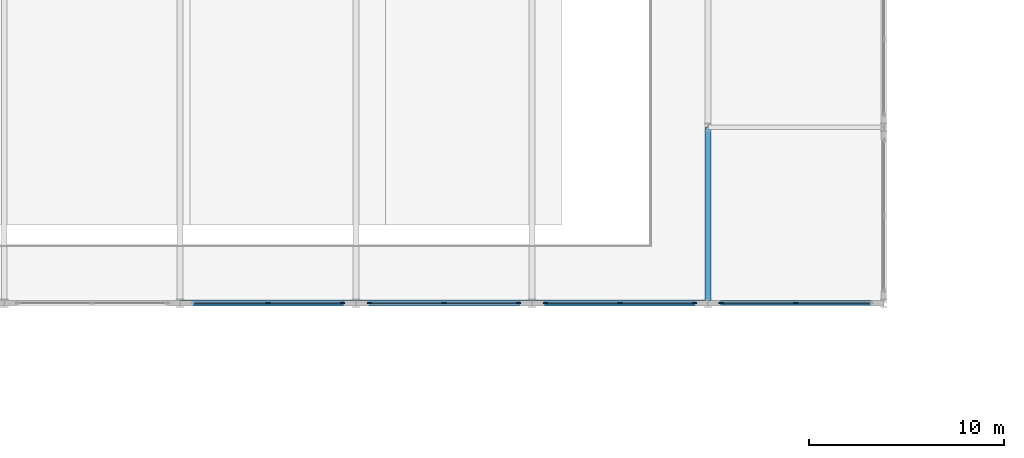
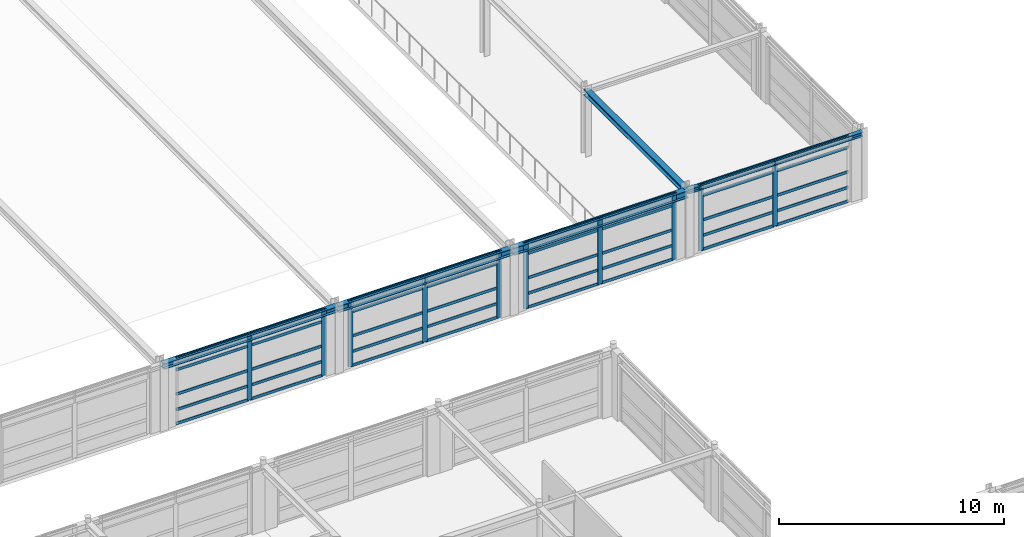
# One storey, part 47 of 79: 50 members, 5 beams, 4 elements without a shape of their own.
"""IFC4 building model written with IfcOpenShell, lengths in metres."""

from ifc_helpers import new_model, si_unit, direction, frame, origin, origin_2d, place, context, subcontext, project, spatial, rectangle, i_section, extrude, material, material_profile, profile_set, type_object, element, aggregate, save


model = new_model("IFC4")

# Units and contexts
model_context = context("Model", 3, precision=1e-05, world=origin(), true_north=direction((0.0, 1.0)))
body_context = subcontext(model_context, "Body", "Model", "MODEL_VIEW")
ifc_project = project(units=[si_unit("LENGTHUNIT", "METRE"), si_unit("AREAUNIT", "SQUARE_METRE"), si_unit("VOLUMEUNIT", "CUBIC_METRE"), si_unit("PLANEANGLEUNIT", "RADIAN"), si_unit("MASSUNIT", "GRAM", prefix="KILO")], contexts=[model_context])

# Site, building, storey
site_placement = place(None, origin())
site = spatial("IfcSite", under=ifc_project, at=site_placement, CompositionType="ELEMENT")
building_placement = place(site_placement, origin())
building = spatial("IfcBuilding", under=site, at=building_placement, Name="Palais des Congres Ocreval", CompositionType="ELEMENT")
storey_placement = place(building_placement, frame((0.0, 0.0, 4.320068359375)))
storey = spatial("IfcBuildingStorey", under=building, at=storey_placement, Name="L01", CompositionType="ELEMENT", Elevation=4.320068359375)

# Curtain wall, members
ifc_material_1 = material(Name="Anodized bronze aluminium and low-E glass", Category="glass")
curtain_wall_type = type_object("IfcCurtainWallType", Name="Unitised Curtain Wall 7900x3660", PredefinedType="USERDEFINED", material=ifc_material_1)
curtain_wall_1_placement = place(storey_placement, origin())
curtain_wall_1 = element("IfcCurtainWall", 1, at=curtain_wall_1_placement, inside=storey, type_object=curtain_wall_type, Name="Unitised Curtain Wall CW02 L01", ObjectType="UNITISED CURTAIN WALL", PredefinedType="USERDEFINED")
ifc_material_2 = material(Name="Anodized bronze aluminium", Category="aluminium")
ifc_material_profile_1 = material_profile(ifc_material_2, rectangle(XDim=0.074951171875, YDim=0.239990234375, at=origin_2d()), Name="ALU 75x240")
ifc_profile_set_1 = profile_set([ifc_material_profile_1], Name="Anodized bronze aluminium")
member_type_1 = type_object("IfcMemberType", Name="Curtain Wall Mullion ALU 75x240", PredefinedType="MULLION", material=ifc_profile_set_1)
member_1_placement = place(storey_placement, frame((157.5, 72.0, 0.0), z_axis=(0.0, 0.0, 1.0), x_axis=(0.0, -1.0, 0.0)))
member_1 = element("IfcMember", 2, at=member_1_placement, type_object=member_type_1, Name="Curtain Wall Mullion ML01", PredefinedType="MULLION", context=body_context, shape_type="SweptSolid", body=[
    extrude(rectangle(XDim=0.074951171875, YDim=0.239990234375, at=origin_2d()), origin(), (0.0, 0.0, 1.0), 3.599853515625),
])
member_2_placement = place(storey_placement, frame((153.6875, 72.0, 0.0), z_axis=(0.0, 0.0, 1.0), x_axis=(0.0, -1.0, 0.0)))
member_2 = element("IfcMember", 3, at=member_2_placement, type_object=member_type_1, Name="Curtain Wall Mullion ML01", PredefinedType="MULLION", context=body_context, shape_type="SweptSolid", body=[
    extrude(rectangle(XDim=0.074951171875, YDim=0.239990234375, at=origin_2d()), origin(), (0.0, 0.0, 1.0), 3.599853515625),
])

curtain_wall_2_placement = place(storey_placement, origin())
curtain_wall_2 = element("IfcCurtainWall", 4, at=curtain_wall_2_placement, inside=storey, type_object=curtain_wall_type, Name="Unitised Curtain Wall CW02 L01", ObjectType="UNITISED CURTAIN WALL", PredefinedType="USERDEFINED")
member_3_placement = place(storey_placement, frame((152.3125, 72.0, 0.0), z_axis=(0.0, 0.0, 1.0), x_axis=(0.0, -1.0, 0.0)))
member_3 = element("IfcMember", 5, at=member_3_placement, type_object=member_type_1, Name="Curtain Wall Mullion ML01", PredefinedType="MULLION", context=body_context, shape_type="SweptSolid", body=[
    extrude(rectangle(XDim=0.074951171875, YDim=0.239990234375, at=origin_2d()), origin(), (0.0, 0.0, 1.0), 3.599853515625),
])
member_4_placement = place(storey_placement, frame((148.5, 72.0, 0.0), z_axis=(0.0, 0.0, 1.0), x_axis=(0.0, -1.0, 0.0)))
member_4 = element("IfcMember", 6, at=member_4_placement, type_object=member_type_1, Name="Curtain Wall Mullion ML01", PredefinedType="MULLION", context=body_context, shape_type="SweptSolid", body=[
    extrude(rectangle(XDim=0.074951171875, YDim=0.239990234375, at=origin_2d()), origin(), (0.0, 0.0, 1.0), 3.599853515625),
])
member_5_placement = place(storey_placement, frame((144.6875, 72.0, 0.0), z_axis=(0.0, 0.0, 1.0), x_axis=(0.0, -1.0, 0.0)))
member_5 = element("IfcMember", 7, at=member_5_placement, type_object=member_type_1, Name="Curtain Wall Mullion ML01", PredefinedType="MULLION", context=body_context, shape_type="SweptSolid", body=[
    extrude(rectangle(XDim=0.074951171875, YDim=0.239990234375, at=origin_2d()), origin(), (0.0, 0.0, 1.0), 3.599853515625),
])

curtain_wall_3_placement = place(storey_placement, origin())
curtain_wall_3 = element("IfcCurtainWall", 8, at=curtain_wall_3_placement, inside=storey, type_object=curtain_wall_type, Name="Unitised Curtain Wall CW02 L01", ObjectType="UNITISED CURTAIN WALL", PredefinedType="USERDEFINED")
member_6_placement = place(storey_placement, frame((143.3125, 72.0, 0.0), z_axis=(0.0, 0.0, 1.0), x_axis=(0.0, -1.0, 0.0)))
member_6 = element("IfcMember", 9, at=member_6_placement, type_object=member_type_1, Name="Curtain Wall Mullion ML01", PredefinedType="MULLION", context=body_context, shape_type="SweptSolid", body=[
    extrude(rectangle(XDim=0.074951171875, YDim=0.239990234375, at=origin_2d()), origin(), (0.0, 0.0, 1.0), 3.599853515625),
])
member_7_placement = place(storey_placement, frame((139.5, 72.0, 0.0), z_axis=(0.0, 0.0, 1.0), x_axis=(0.0, -1.0, 0.0)))
member_7 = element("IfcMember", 10, at=member_7_placement, type_object=member_type_1, Name="Curtain Wall Mullion ML01", PredefinedType="MULLION", context=body_context, shape_type="SweptSolid", body=[
    extrude(rectangle(XDim=0.074951171875, YDim=0.239990234375, at=origin_2d()), origin(), (0.0, 0.0, 1.0), 3.599853515625),
])
member_8_placement = place(storey_placement, frame((135.6875, 72.0, 0.0), z_axis=(0.0, 0.0, 1.0), x_axis=(0.0, -1.0, 0.0)))
member_8 = element("IfcMember", 11, at=member_8_placement, type_object=member_type_1, Name="Curtain Wall Mullion ML01", PredefinedType="MULLION", context=body_context, shape_type="SweptSolid", body=[
    extrude(rectangle(XDim=0.074951171875, YDim=0.239990234375, at=origin_2d()), origin(), (0.0, 0.0, 1.0), 3.599853515625),
])

curtain_wall_4_placement = place(storey_placement, origin())
curtain_wall_4 = element("IfcCurtainWall", 12, at=curtain_wall_4_placement, inside=storey, type_object=curtain_wall_type, Name="Unitised Curtain Wall CW02 L01", ObjectType="UNITISED CURTAIN WALL", PredefinedType="USERDEFINED")
member_9_placement = place(storey_placement, frame((134.3125, 72.0, 0.0), z_axis=(0.0, 0.0, 1.0), x_axis=(0.0, -1.0, 0.0)))
member_9 = element("IfcMember", 13, at=member_9_placement, type_object=member_type_1, Name="Curtain Wall Mullion ML01", PredefinedType="MULLION", context=body_context, shape_type="SweptSolid", body=[
    extrude(rectangle(XDim=0.074951171875, YDim=0.239990234375, at=origin_2d()), origin(), (0.0, 0.0, 1.0), 3.599853515625),
])
member_10_placement = place(storey_placement, frame((130.5, 72.0, 0.0), z_axis=(0.0, 0.0, 1.0), x_axis=(0.0, -1.0, 0.0)))
member_10 = element("IfcMember", 14, at=member_10_placement, type_object=member_type_1, Name="Curtain Wall Mullion ML01", PredefinedType="MULLION", context=body_context, shape_type="SweptSolid", body=[
    extrude(rectangle(XDim=0.074951171875, YDim=0.239990234375, at=origin_2d()), origin(), (0.0, 0.0, 1.0), 3.599853515625),
])

# Member
ifc_material_profile_2 = material_profile(ifc_material_2, rectangle(XDim=0.06005859375, YDim=0.14990234375, at=origin_2d()), Name="ALU 60x150")
ifc_profile_set_2 = profile_set([ifc_material_profile_2], Name="Anodized bronze aluminium")
member_type_2 = type_object("IfcMemberType", Name="Curtain Wall Transom ALU 60x150", PredefinedType="USERDEFINED", material=ifc_profile_set_2)
member_11_placement = place(storey_placement, frame((161.27490234375, 72.0, 0.030029296875), z_axis=(-1.0, 0.0, 0.0), x_axis=(0.0, -1.0, 0.0)))
member_11 = element("IfcMember", 15, at=member_11_placement, type_object=member_type_2, Name="Curtain Wall Transom TR01", ObjectType="TRANSOM", PredefinedType="USERDEFINED", context=body_context, shape_type="SweptSolid", body=[
    extrude(rectangle(XDim=0.06005859375, YDim=0.14990234375, at=origin_2d()), origin(), (0.0, 0.0, 1.0), 3.7373046875),
])

member_12_placement = place(storey_placement, frame((161.27490234375, 72.0, 0.780029296875), z_axis=(-1.0, 0.0, 0.0), x_axis=(0.0, -1.0, 0.0)))
member_12 = element("IfcMember", 16, at=member_12_placement, type_object=member_type_2, Name="Curtain Wall Transom TR01", ObjectType="TRANSOM", PredefinedType="USERDEFINED", context=body_context, shape_type="SweptSolid", body=[
    extrude(rectangle(XDim=0.06005859375, YDim=0.14990234375, at=origin_2d()), origin(), (0.0, 0.0, 1.0), 3.7373046875),
])

member_13_placement = place(storey_placement, frame((161.27490234375, 72.0, 1.622314453125), z_axis=(-1.0, 0.0, 0.0), x_axis=(0.0, -1.0, 0.0)))
member_13 = element("IfcMember", 17, at=member_13_placement, type_object=member_type_2, Name="Curtain Wall Transom TR01", ObjectType="TRANSOM", PredefinedType="USERDEFINED", context=body_context, shape_type="SweptSolid", body=[
    extrude(rectangle(XDim=0.06005859375, YDim=0.14990234375, at=origin_2d()), origin(), (0.0, 0.0, 1.0), 3.7373046875),
])

member_14_placement = place(storey_placement, frame((161.27490234375, 72.0, 2.949951171875), z_axis=(-1.0, 0.0, 0.0), x_axis=(0.0, -1.0, 0.0)))
member_14 = element("IfcMember", 18, at=member_14_placement, type_object=member_type_2, Name="Curtain Wall Transom TR01", ObjectType="TRANSOM", PredefinedType="USERDEFINED", context=body_context, shape_type="SweptSolid", body=[
    extrude(rectangle(XDim=0.06005859375, YDim=0.14990234375, at=origin_2d()), origin(), (0.0, 0.0, 1.0), 3.7373046875),
])

member_15_placement = place(storey_placement, frame((161.27490234375, 72.0, 3.56982421875), z_axis=(-1.0, 0.0, 0.0), x_axis=(0.0, -1.0, 0.0)))
member_15 = element("IfcMember", 19, at=member_15_placement, type_object=member_type_2, Name="Curtain Wall Transom TR01", ObjectType="TRANSOM", PredefinedType="USERDEFINED", context=body_context, shape_type="SweptSolid", body=[
    extrude(rectangle(XDim=0.06005859375, YDim=0.14990234375, at=origin_2d()), origin(), (0.0, 0.0, 1.0), 3.7373046875),
])

member_16_placement = place(storey_placement, frame((157.46240234375, 72.0, 0.030029296875), z_axis=(-1.0, 0.0, 0.0), x_axis=(0.0, -1.0, 0.0)))
member_16 = element("IfcMember", 20, at=member_16_placement, type_object=member_type_2, Name="Curtain Wall Transom TR01", ObjectType="TRANSOM", PredefinedType="USERDEFINED", context=body_context, shape_type="SweptSolid", body=[
    extrude(rectangle(XDim=0.06005859375, YDim=0.14990234375, at=origin_2d()), origin(), (0.0, 0.0, 1.0), 3.7373046875),
])

member_17_placement = place(storey_placement, frame((157.46240234375, 72.0, 0.780029296875), z_axis=(-1.0, 0.0, 0.0), x_axis=(0.0, -1.0, 0.0)))
member_17 = element("IfcMember", 21, at=member_17_placement, type_object=member_type_2, Name="Curtain Wall Transom TR01", ObjectType="TRANSOM", PredefinedType="USERDEFINED", context=body_context, shape_type="SweptSolid", body=[
    extrude(rectangle(XDim=0.06005859375, YDim=0.14990234375, at=origin_2d()), origin(), (0.0, 0.0, 1.0), 3.7373046875),
])

member_18_placement = place(storey_placement, frame((157.46240234375, 72.0, 1.622314453125), z_axis=(-1.0, 0.0, 0.0), x_axis=(0.0, -1.0, 0.0)))
member_18 = element("IfcMember", 22, at=member_18_placement, type_object=member_type_2, Name="Curtain Wall Transom TR01", ObjectType="TRANSOM", PredefinedType="USERDEFINED", context=body_context, shape_type="SweptSolid", body=[
    extrude(rectangle(XDim=0.06005859375, YDim=0.14990234375, at=origin_2d()), origin(), (0.0, 0.0, 1.0), 3.7373046875),
])

member_19_placement = place(storey_placement, frame((157.46240234375, 72.0, 2.949951171875), z_axis=(-1.0, 0.0, 0.0), x_axis=(0.0, -1.0, 0.0)))
member_19 = element("IfcMember", 23, at=member_19_placement, type_object=member_type_2, Name="Curtain Wall Transom TR01", ObjectType="TRANSOM", PredefinedType="USERDEFINED", context=body_context, shape_type="SweptSolid", body=[
    extrude(rectangle(XDim=0.06005859375, YDim=0.14990234375, at=origin_2d()), origin(), (0.0, 0.0, 1.0), 3.7373046875),
])

member_20_placement = place(storey_placement, frame((157.46240234375, 72.0, 3.56982421875), z_axis=(-1.0, 0.0, 0.0), x_axis=(0.0, -1.0, 0.0)))
member_20 = element("IfcMember", 24, at=member_20_placement, type_object=member_type_2, Name="Curtain Wall Transom TR01", ObjectType="TRANSOM", PredefinedType="USERDEFINED", context=body_context, shape_type="SweptSolid", body=[
    extrude(rectangle(XDim=0.06005859375, YDim=0.14990234375, at=origin_2d()), origin(), (0.0, 0.0, 1.0), 3.7373046875),
])

aggregate(curtain_wall_1, [member_1, member_2, member_11, member_12, member_13, member_14, member_15, member_16, member_17, member_18, member_19, member_20])

member_21_placement = place(storey_placement, frame((152.27490234375, 72.0, 0.030029296875), z_axis=(-1.0, 0.0, 0.0), x_axis=(0.0, -1.0, 0.0)))
member_21 = element("IfcMember", 25, at=member_21_placement, type_object=member_type_2, Name="Curtain Wall Transom TR01", ObjectType="TRANSOM", PredefinedType="USERDEFINED", context=body_context, shape_type="SweptSolid", body=[
    extrude(rectangle(XDim=0.06005859375, YDim=0.14990234375, at=origin_2d()), origin(), (0.0, 0.0, 1.0), 3.7373046875),
])

member_22_placement = place(storey_placement, frame((152.27490234375, 72.0, 0.780029296875), z_axis=(-1.0, 0.0, 0.0), x_axis=(0.0, -1.0, 0.0)))
member_22 = element("IfcMember", 26, at=member_22_placement, type_object=member_type_2, Name="Curtain Wall Transom TR01", ObjectType="TRANSOM", PredefinedType="USERDEFINED", context=body_context, shape_type="SweptSolid", body=[
    extrude(rectangle(XDim=0.06005859375, YDim=0.14990234375, at=origin_2d()), origin(), (0.0, 0.0, 1.0), 3.7373046875),
])

member_23_placement = place(storey_placement, frame((152.27490234375, 72.0, 1.622314453125), z_axis=(-1.0, 0.0, 0.0), x_axis=(0.0, -1.0, 0.0)))
member_23 = element("IfcMember", 27, at=member_23_placement, type_object=member_type_2, Name="Curtain Wall Transom TR01", ObjectType="TRANSOM", PredefinedType="USERDEFINED", context=body_context, shape_type="SweptSolid", body=[
    extrude(rectangle(XDim=0.06005859375, YDim=0.14990234375, at=origin_2d()), origin(), (0.0, 0.0, 1.0), 3.7373046875),
])

member_24_placement = place(storey_placement, frame((152.27490234375, 72.0, 2.949951171875), z_axis=(-1.0, 0.0, 0.0), x_axis=(0.0, -1.0, 0.0)))
member_24 = element("IfcMember", 28, at=member_24_placement, type_object=member_type_2, Name="Curtain Wall Transom TR01", ObjectType="TRANSOM", PredefinedType="USERDEFINED", context=body_context, shape_type="SweptSolid", body=[
    extrude(rectangle(XDim=0.06005859375, YDim=0.14990234375, at=origin_2d()), origin(), (0.0, 0.0, 1.0), 3.7373046875),
])

member_25_placement = place(storey_placement, frame((152.27490234375, 72.0, 3.56982421875), z_axis=(-1.0, 0.0, 0.0), x_axis=(0.0, -1.0, 0.0)))
member_25 = element("IfcMember", 29, at=member_25_placement, type_object=member_type_2, Name="Curtain Wall Transom TR01", ObjectType="TRANSOM", PredefinedType="USERDEFINED", context=body_context, shape_type="SweptSolid", body=[
    extrude(rectangle(XDim=0.06005859375, YDim=0.14990234375, at=origin_2d()), origin(), (0.0, 0.0, 1.0), 3.7373046875),
])

member_26_placement = place(storey_placement, frame((148.46240234375, 72.0, 0.030029296875), z_axis=(-1.0, 0.0, 0.0), x_axis=(0.0, -1.0, 0.0)))
member_26 = element("IfcMember", 30, at=member_26_placement, type_object=member_type_2, Name="Curtain Wall Transom TR01", ObjectType="TRANSOM", PredefinedType="USERDEFINED", context=body_context, shape_type="SweptSolid", body=[
    extrude(rectangle(XDim=0.06005859375, YDim=0.14990234375, at=origin_2d()), origin(), (0.0, 0.0, 1.0), 3.7373046875),
])

member_27_placement = place(storey_placement, frame((148.46240234375, 72.0, 0.780029296875), z_axis=(-1.0, 0.0, 0.0), x_axis=(0.0, -1.0, 0.0)))
member_27 = element("IfcMember", 31, at=member_27_placement, type_object=member_type_2, Name="Curtain Wall Transom TR01", ObjectType="TRANSOM", PredefinedType="USERDEFINED", context=body_context, shape_type="SweptSolid", body=[
    extrude(rectangle(XDim=0.06005859375, YDim=0.14990234375, at=origin_2d()), origin(), (0.0, 0.0, 1.0), 3.7373046875),
])

member_28_placement = place(storey_placement, frame((148.46240234375, 72.0, 1.622314453125), z_axis=(-1.0, 0.0, 0.0), x_axis=(0.0, -1.0, 0.0)))
member_28 = element("IfcMember", 32, at=member_28_placement, type_object=member_type_2, Name="Curtain Wall Transom TR01", ObjectType="TRANSOM", PredefinedType="USERDEFINED", context=body_context, shape_type="SweptSolid", body=[
    extrude(rectangle(XDim=0.06005859375, YDim=0.14990234375, at=origin_2d()), origin(), (0.0, 0.0, 1.0), 3.7373046875),
])

member_29_placement = place(storey_placement, frame((148.46240234375, 72.0, 2.949951171875), z_axis=(-1.0, 0.0, 0.0), x_axis=(0.0, -1.0, 0.0)))
member_29 = element("IfcMember", 33, at=member_29_placement, type_object=member_type_2, Name="Curtain Wall Transom TR01", ObjectType="TRANSOM", PredefinedType="USERDEFINED", context=body_context, shape_type="SweptSolid", body=[
    extrude(rectangle(XDim=0.06005859375, YDim=0.14990234375, at=origin_2d()), origin(), (0.0, 0.0, 1.0), 3.7373046875),
])

member_30_placement = place(storey_placement, frame((148.46240234375, 72.0, 3.56982421875), z_axis=(-1.0, 0.0, 0.0), x_axis=(0.0, -1.0, 0.0)))
member_30 = element("IfcMember", 34, at=member_30_placement, type_object=member_type_2, Name="Curtain Wall Transom TR01", ObjectType="TRANSOM", PredefinedType="USERDEFINED", context=body_context, shape_type="SweptSolid", body=[
    extrude(rectangle(XDim=0.06005859375, YDim=0.14990234375, at=origin_2d()), origin(), (0.0, 0.0, 1.0), 3.7373046875),
])

aggregate(curtain_wall_2, [member_3, member_4, member_5, member_21, member_22, member_23, member_24, member_25, member_26, member_27, member_28, member_29, member_30])

member_31_placement = place(storey_placement, frame((143.27490234375, 72.0, 0.030029296875), z_axis=(-1.0, 0.0, 0.0), x_axis=(0.0, -1.0, 0.0)))
member_31 = element("IfcMember", 35, at=member_31_placement, type_object=member_type_2, Name="Curtain Wall Transom TR01", ObjectType="TRANSOM", PredefinedType="USERDEFINED", context=body_context, shape_type="SweptSolid", body=[
    extrude(rectangle(XDim=0.06005859375, YDim=0.14990234375, at=origin_2d()), origin(), (0.0, 0.0, 1.0), 3.7373046875),
])

member_32_placement = place(storey_placement, frame((143.27490234375, 72.0, 0.780029296875), z_axis=(-1.0, 0.0, 0.0), x_axis=(0.0, -1.0, 0.0)))
member_32 = element("IfcMember", 36, at=member_32_placement, type_object=member_type_2, Name="Curtain Wall Transom TR01", ObjectType="TRANSOM", PredefinedType="USERDEFINED", context=body_context, shape_type="SweptSolid", body=[
    extrude(rectangle(XDim=0.06005859375, YDim=0.14990234375, at=origin_2d()), origin(), (0.0, 0.0, 1.0), 3.7373046875),
])

member_33_placement = place(storey_placement, frame((143.27490234375, 72.0, 1.622314453125), z_axis=(-1.0, 0.0, 0.0), x_axis=(0.0, -1.0, 0.0)))
member_33 = element("IfcMember", 37, at=member_33_placement, type_object=member_type_2, Name="Curtain Wall Transom TR01", ObjectType="TRANSOM", PredefinedType="USERDEFINED", context=body_context, shape_type="SweptSolid", body=[
    extrude(rectangle(XDim=0.06005859375, YDim=0.14990234375, at=origin_2d()), origin(), (0.0, 0.0, 1.0), 3.7373046875),
])

member_34_placement = place(storey_placement, frame((143.27490234375, 72.0, 2.949951171875), z_axis=(-1.0, 0.0, 0.0), x_axis=(0.0, -1.0, 0.0)))
member_34 = element("IfcMember", 38, at=member_34_placement, type_object=member_type_2, Name="Curtain Wall Transom TR01", ObjectType="TRANSOM", PredefinedType="USERDEFINED", context=body_context, shape_type="SweptSolid", body=[
    extrude(rectangle(XDim=0.06005859375, YDim=0.14990234375, at=origin_2d()), origin(), (0.0, 0.0, 1.0), 3.7373046875),
])

member_35_placement = place(storey_placement, frame((143.27490234375, 72.0, 3.56982421875), z_axis=(-1.0, 0.0, 0.0), x_axis=(0.0, -1.0, 0.0)))
member_35 = element("IfcMember", 39, at=member_35_placement, type_object=member_type_2, Name="Curtain Wall Transom TR01", ObjectType="TRANSOM", PredefinedType="USERDEFINED", context=body_context, shape_type="SweptSolid", body=[
    extrude(rectangle(XDim=0.06005859375, YDim=0.14990234375, at=origin_2d()), origin(), (0.0, 0.0, 1.0), 3.7373046875),
])

member_36_placement = place(storey_placement, frame((139.46240234375, 72.0, 0.030029296875), z_axis=(-1.0, 0.0, 0.0), x_axis=(0.0, -1.0, 0.0)))
member_36 = element("IfcMember", 40, at=member_36_placement, type_object=member_type_2, Name="Curtain Wall Transom TR01", ObjectType="TRANSOM", PredefinedType="USERDEFINED", context=body_context, shape_type="SweptSolid", body=[
    extrude(rectangle(XDim=0.06005859375, YDim=0.14990234375, at=origin_2d()), origin(), (0.0, 0.0, 1.0), 3.7373046875),
])

member_37_placement = place(storey_placement, frame((139.46240234375, 72.0, 0.780029296875), z_axis=(-1.0, 0.0, 0.0), x_axis=(0.0, -1.0, 0.0)))
member_37 = element("IfcMember", 41, at=member_37_placement, type_object=member_type_2, Name="Curtain Wall Transom TR01", ObjectType="TRANSOM", PredefinedType="USERDEFINED", context=body_context, shape_type="SweptSolid", body=[
    extrude(rectangle(XDim=0.06005859375, YDim=0.14990234375, at=origin_2d()), origin(), (0.0, 0.0, 1.0), 3.7373046875),
])

member_38_placement = place(storey_placement, frame((139.46240234375, 72.0, 1.622314453125), z_axis=(-1.0, 0.0, 0.0), x_axis=(0.0, -1.0, 0.0)))
member_38 = element("IfcMember", 42, at=member_38_placement, type_object=member_type_2, Name="Curtain Wall Transom TR01", ObjectType="TRANSOM", PredefinedType="USERDEFINED", context=body_context, shape_type="SweptSolid", body=[
    extrude(rectangle(XDim=0.06005859375, YDim=0.14990234375, at=origin_2d()), origin(), (0.0, 0.0, 1.0), 3.7373046875),
])

member_39_placement = place(storey_placement, frame((139.46240234375, 72.0, 2.949951171875), z_axis=(-1.0, 0.0, 0.0), x_axis=(0.0, -1.0, 0.0)))
member_39 = element("IfcMember", 43, at=member_39_placement, type_object=member_type_2, Name="Curtain Wall Transom TR01", ObjectType="TRANSOM", PredefinedType="USERDEFINED", context=body_context, shape_type="SweptSolid", body=[
    extrude(rectangle(XDim=0.06005859375, YDim=0.14990234375, at=origin_2d()), origin(), (0.0, 0.0, 1.0), 3.7373046875),
])

member_40_placement = place(storey_placement, frame((139.46240234375, 72.0, 3.56982421875), z_axis=(-1.0, 0.0, 0.0), x_axis=(0.0, -1.0, 0.0)))
member_40 = element("IfcMember", 44, at=member_40_placement, type_object=member_type_2, Name="Curtain Wall Transom TR01", ObjectType="TRANSOM", PredefinedType="USERDEFINED", context=body_context, shape_type="SweptSolid", body=[
    extrude(rectangle(XDim=0.06005859375, YDim=0.14990234375, at=origin_2d()), origin(), (0.0, 0.0, 1.0), 3.7373046875),
])

aggregate(curtain_wall_3, [member_6, member_7, member_8, member_31, member_32, member_33, member_34, member_35, member_36, member_37, member_38, member_39, member_40])

member_41_placement = place(storey_placement, frame((134.27490234375, 72.0, 0.030029296875), z_axis=(-1.0, 0.0, 0.0), x_axis=(0.0, -1.0, 0.0)))
member_41 = element("IfcMember", 45, at=member_41_placement, type_object=member_type_2, Name="Curtain Wall Transom TR01", ObjectType="TRANSOM", PredefinedType="USERDEFINED", context=body_context, shape_type="SweptSolid", body=[
    extrude(rectangle(XDim=0.06005859375, YDim=0.14990234375, at=origin_2d()), origin(), (0.0, 0.0, 1.0), 3.7373046875),
])

member_42_placement = place(storey_placement, frame((134.27490234375, 72.0, 0.780029296875), z_axis=(-1.0, 0.0, 0.0), x_axis=(0.0, -1.0, 0.0)))
member_42 = element("IfcMember", 46, at=member_42_placement, type_object=member_type_2, Name="Curtain Wall Transom TR01", ObjectType="TRANSOM", PredefinedType="USERDEFINED", context=body_context, shape_type="SweptSolid", body=[
    extrude(rectangle(XDim=0.06005859375, YDim=0.14990234375, at=origin_2d()), origin(), (0.0, 0.0, 1.0), 3.7373046875),
])

member_43_placement = place(storey_placement, frame((134.27490234375, 72.0, 1.622314453125), z_axis=(-1.0, 0.0, 0.0), x_axis=(0.0, -1.0, 0.0)))
member_43 = element("IfcMember", 47, at=member_43_placement, type_object=member_type_2, Name="Curtain Wall Transom TR01", ObjectType="TRANSOM", PredefinedType="USERDEFINED", context=body_context, shape_type="SweptSolid", body=[
    extrude(rectangle(XDim=0.06005859375, YDim=0.14990234375, at=origin_2d()), origin(), (0.0, 0.0, 1.0), 3.7373046875),
])

member_44_placement = place(storey_placement, frame((134.27490234375, 72.0, 2.949951171875), z_axis=(-1.0, 0.0, 0.0), x_axis=(0.0, -1.0, 0.0)))
member_44 = element("IfcMember", 48, at=member_44_placement, type_object=member_type_2, Name="Curtain Wall Transom TR01", ObjectType="TRANSOM", PredefinedType="USERDEFINED", context=body_context, shape_type="SweptSolid", body=[
    extrude(rectangle(XDim=0.06005859375, YDim=0.14990234375, at=origin_2d()), origin(), (0.0, 0.0, 1.0), 3.7373046875),
])

member_45_placement = place(storey_placement, frame((134.27490234375, 72.0, 3.56982421875), z_axis=(-1.0, 0.0, 0.0), x_axis=(0.0, -1.0, 0.0)))
member_45 = element("IfcMember", 49, at=member_45_placement, type_object=member_type_2, Name="Curtain Wall Transom TR01", ObjectType="TRANSOM", PredefinedType="USERDEFINED", context=body_context, shape_type="SweptSolid", body=[
    extrude(rectangle(XDim=0.06005859375, YDim=0.14990234375, at=origin_2d()), origin(), (0.0, 0.0, 1.0), 3.7373046875),
])

member_46_placement = place(storey_placement, frame((130.46240234375, 72.0, 0.030029296875), z_axis=(-1.0, 0.0, 0.0), x_axis=(0.0, -1.0, 0.0)))
member_46 = element("IfcMember", 50, at=member_46_placement, type_object=member_type_2, Name="Curtain Wall Transom TR01", ObjectType="TRANSOM", PredefinedType="USERDEFINED", context=body_context, shape_type="SweptSolid", body=[
    extrude(rectangle(XDim=0.06005859375, YDim=0.14990234375, at=origin_2d()), origin(), (0.0, 0.0, 1.0), 3.7373046875),
])

member_47_placement = place(storey_placement, frame((130.46240234375, 72.0, 0.780029296875), z_axis=(-1.0, 0.0, 0.0), x_axis=(0.0, -1.0, 0.0)))
member_47 = element("IfcMember", 51, at=member_47_placement, type_object=member_type_2, Name="Curtain Wall Transom TR01", ObjectType="TRANSOM", PredefinedType="USERDEFINED", context=body_context, shape_type="SweptSolid", body=[
    extrude(rectangle(XDim=0.06005859375, YDim=0.14990234375, at=origin_2d()), origin(), (0.0, 0.0, 1.0), 3.7373046875),
])

member_48_placement = place(storey_placement, frame((130.46240234375, 72.0, 1.622314453125), z_axis=(-1.0, 0.0, 0.0), x_axis=(0.0, -1.0, 0.0)))
member_48 = element("IfcMember", 52, at=member_48_placement, type_object=member_type_2, Name="Curtain Wall Transom TR01", ObjectType="TRANSOM", PredefinedType="USERDEFINED", context=body_context, shape_type="SweptSolid", body=[
    extrude(rectangle(XDim=0.06005859375, YDim=0.14990234375, at=origin_2d()), origin(), (0.0, 0.0, 1.0), 3.7373046875),
])

member_49_placement = place(storey_placement, frame((130.46240234375, 72.0, 2.949951171875), z_axis=(-1.0, 0.0, 0.0), x_axis=(0.0, -1.0, 0.0)))
member_49 = element("IfcMember", 53, at=member_49_placement, type_object=member_type_2, Name="Curtain Wall Transom TR01", ObjectType="TRANSOM", PredefinedType="USERDEFINED", context=body_context, shape_type="SweptSolid", body=[
    extrude(rectangle(XDim=0.06005859375, YDim=0.14990234375, at=origin_2d()), origin(), (0.0, 0.0, 1.0), 3.7373046875),
])

member_50_placement = place(storey_placement, frame((130.46240234375, 72.0, 3.56982421875), z_axis=(-1.0, 0.0, 0.0), x_axis=(0.0, -1.0, 0.0)))
member_50 = element("IfcMember", 54, at=member_50_placement, type_object=member_type_2, Name="Curtain Wall Transom TR01", ObjectType="TRANSOM", PredefinedType="USERDEFINED", context=body_context, shape_type="SweptSolid", body=[
    extrude(rectangle(XDim=0.06005859375, YDim=0.14990234375, at=origin_2d()), origin(), (0.0, 0.0, 1.0), 3.7373046875),
])

aggregate(curtain_wall_4, [member_9, member_10, member_41, member_42, member_43, member_44, member_45, member_46, member_47, member_48, member_49, member_50])

# Beams
ifc_material_3 = material(Name="Steel S355", Category="steel")
ifc_material_profile_3 = material_profile(ifc_material_3, i_section(OverallWidth=0.239990234375, OverallDepth=0.22998046875, WebThickness=0.007568359375, FlangeThickness=0.011962890625, at=origin_2d()), Name="HEA 240")
ifc_profile_set_3 = profile_set([ifc_material_profile_3], Name="Steel S355")
beam_type_1 = type_object("IfcBeamType", Name="Perimeter Spandrel HEA 240 Steel S355", PredefinedType="SPANDREL", material=ifc_profile_set_3)
beam_1_placement = place(storey_placement, frame((153.02001953125, 72.0, 3.46484375), z_axis=(1.0, 0.0, 0.0), x_axis=(0.0, 1.0, 0.0)))
element("IfcBeam", 55, at=beam_1_placement, inside=storey, type_object=beam_type_1, Name="Beam SP01 L01", PredefinedType="SPANDREL", context=body_context, shape_type="SweptSolid", body=[
    extrude(i_section(OverallWidth=0.239990234375, OverallDepth=0.22998046875, WebThickness=0.007568359375, FlangeThickness=0.011962890625, at=origin_2d()), origin(), (0.0, 0.0, 1.0), 8.9599609375),
])
ifc_material_profile_4 = material_profile(ifc_material_3, i_section(OverallWidth=0.300048828125, OverallDepth=0.300048828125, WebThickness=0.010986328125, FlangeThickness=0.01904296875, at=origin_2d()), Name="HEB 300")
ifc_profile_set_4 = profile_set([ifc_material_profile_4], Name="Steel S355")
beam_type_2 = type_object("IfcBeamType", Name="Perimeter Spandrel HEB 300 Steel S355", PredefinedType="SPANDREL", material=ifc_profile_set_4)
beam_2_placement = place(storey_placement, frame((126.02001953125, 72.0, 3.429931640625), z_axis=(1.0, 0.0, 0.0), x_axis=(0.0, 1.0, 0.0)))
element("IfcBeam", 56, at=beam_2_placement, inside=storey, type_object=beam_type_2, Name="Beam SP02 L01", PredefinedType="SPANDREL", context=body_context, shape_type="SweptSolid", body=[
    extrude(i_section(OverallWidth=0.300048828125, OverallDepth=0.300048828125, WebThickness=0.010986328125, FlangeThickness=0.01904296875, at=origin_2d()), origin(), (0.0, 0.0, 1.0), 8.9599609375),
])
ifc_material_profile_5 = material_profile(ifc_material_3, i_section(OverallWidth=0.300048828125, OverallDepth=0.360107421875, WebThickness=0.012451171875, FlangeThickness=0.0224609375, at=origin_2d()), Name="HEB 360")
ifc_profile_set_5 = profile_set([ifc_material_profile_5], Name="Steel S355")
beam_type_3 = type_object("IfcBeamType", Name="Perimeter Spandrel HEB 360 Steel S355", PredefinedType="SPANDREL", material=ifc_profile_set_5)
beam_3_placement = place(storey_placement, frame((135.02001953125, 72.0, 3.39990234375), z_axis=(1.0, 0.0, 0.0), x_axis=(0.0, 1.0, 0.0)))
element("IfcBeam", 57, at=beam_3_placement, inside=storey, type_object=beam_type_3, Name="Beam SP03 L01", PredefinedType="SPANDREL", context=body_context, shape_type="SweptSolid", body=[
    extrude(i_section(OverallWidth=0.300048828125, OverallDepth=0.360107421875, WebThickness=0.012451171875, FlangeThickness=0.0224609375, at=origin_2d()), origin(), (0.0, 0.0, 1.0), 8.9599609375),
])
ifc_material_profile_6 = material_profile(ifc_material_3, i_section(OverallWidth=0.300048828125, OverallDepth=0.39990234375, WebThickness=0.013427734375, FlangeThickness=0.02392578125, at=origin_2d()), Name="HEB 400")
ifc_profile_set_6 = profile_set([ifc_material_profile_6], Name="Steel S355")
beam_type_4 = type_object("IfcBeamType", Name="Perimeter Spandrel HEB 400 Steel S355", PredefinedType="SPANDREL", material=ifc_profile_set_6)
beam_4_placement = place(storey_placement, frame((144.02001953125, 72.0, 3.3798828125), z_axis=(1.0, 0.0, 0.0), x_axis=(0.0, 1.0, 0.0)))
element("IfcBeam", 58, at=beam_4_placement, inside=storey, type_object=beam_type_4, Name="Beam SP04 L01", PredefinedType="SPANDREL", context=body_context, shape_type="SweptSolid", body=[
    extrude(i_section(OverallWidth=0.300048828125, OverallDepth=0.39990234375, WebThickness=0.013427734375, FlangeThickness=0.02392578125, at=origin_2d()), origin(), (0.0, 0.0, 1.0), 8.9599609375),
])
ifc_material_profile_7 = material_profile(ifc_material_3, i_section(OverallWidth=0.300048828125, OverallDepth=0.2900390625, WebThickness=0.008544921875, FlangeThickness=0.013916015625, at=origin_2d()), Name="HEA 300")
ifc_profile_set_7 = profile_set([ifc_material_profile_7], Name="Steel S355")
beam_type_5 = type_object("IfcBeamType", Name="Primary Beam HEA 300 Steel S355", PredefinedType="BEAM", material=ifc_profile_set_7)
beam_5_placement = place(storey_placement, frame((153.0, 72.02001953125, 3.434814453125), z_axis=(0.0, 1.0, 0.0), x_axis=(-1.0, 0.0, 0.0)))
element("IfcBeam", 59, at=beam_5_placement, inside=storey, type_object=beam_type_5, Name="Girder B08 L01", PredefinedType="BEAM", context=body_context, shape_type="SweptSolid", body=[
    extrude(i_section(OverallWidth=0.300048828125, OverallDepth=0.2900390625, WebThickness=0.008544921875, FlangeThickness=0.013916015625, at=origin_2d()), origin(), (0.0, 0.0, 1.0), 8.9599609375),
])

save(model, "model.ifc")
